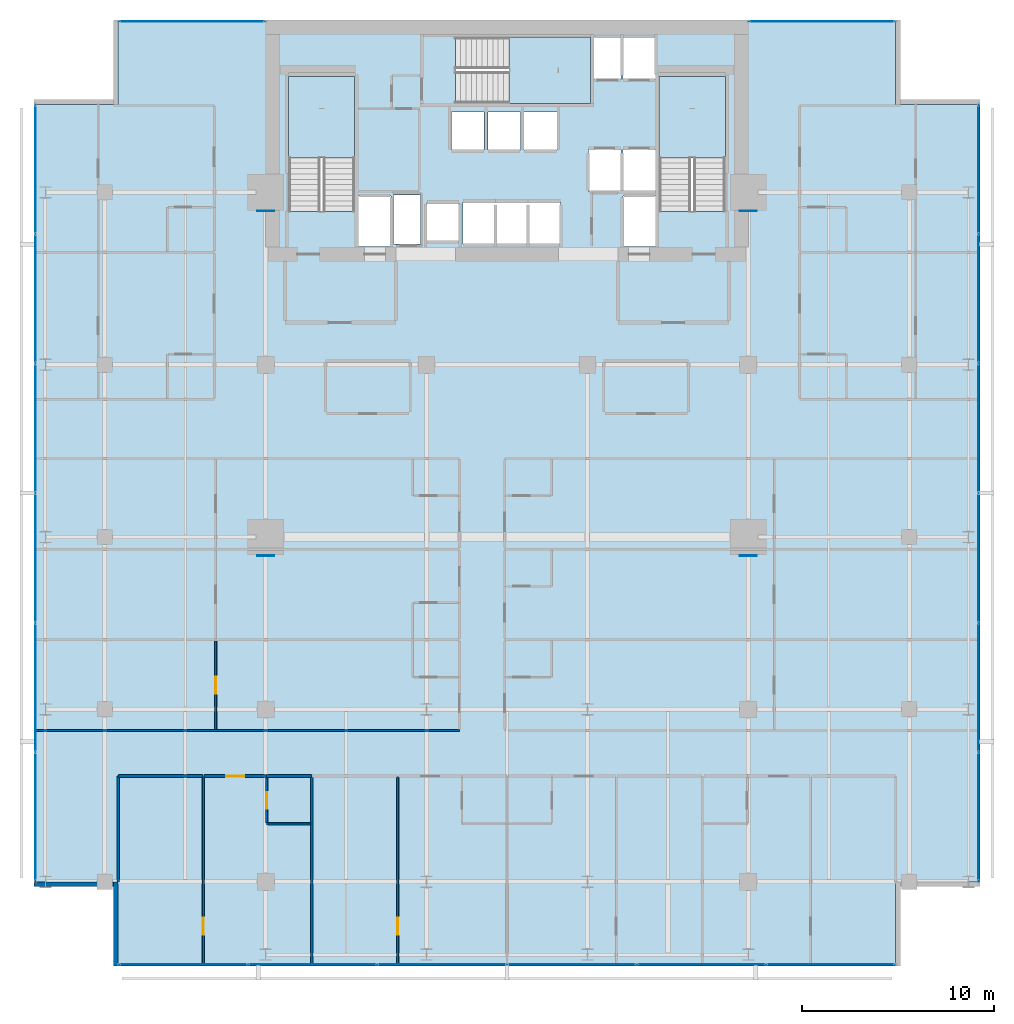
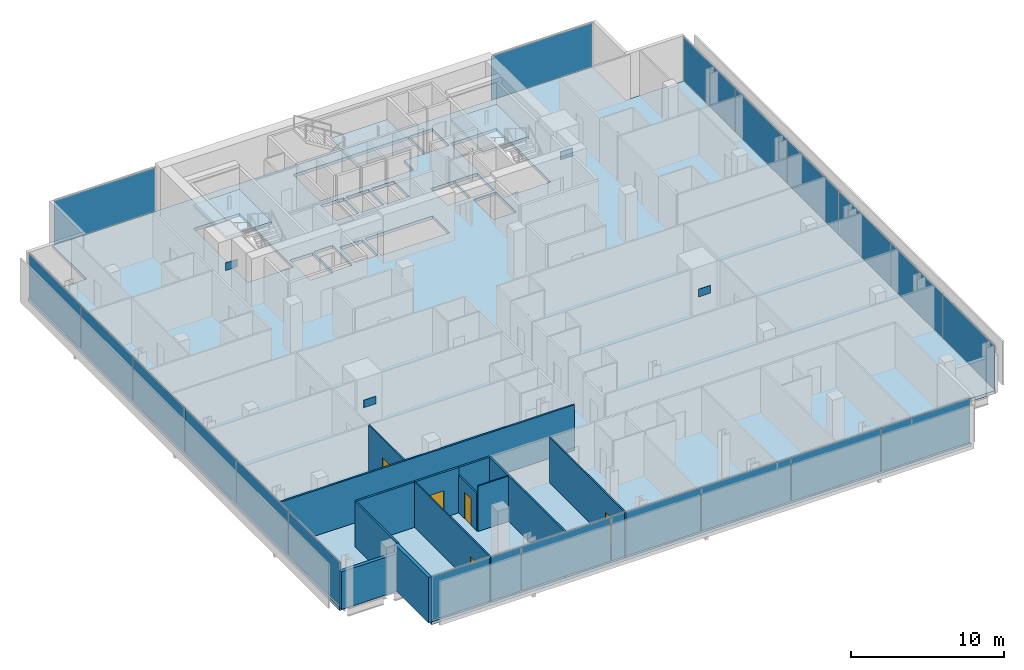
# One storey, part 26 of 33: 24 plates, 13 walls, 5 doors, 4 slabs, 5 openings, 8 elements without a shape of their own.
"""IFC4 building model written with IfcOpenShell, lengths in metres."""

import ifcopenshell
import ifcopenshell.guid

model = None  # the IFC model being written
_history = None  # IfcOwnerHistory: only IFC2X3 demands one
_inside = {}  # id of a spatial element -> (the spatial element, [elements in it])
_under = {}  # id of a project, library or spatial element -> (it, [spatial elements below it])
_declared = {}  # id of a project -> (the project, [libraries it declares])
_typed = {}  # id of a type object -> (the type object, [elements of that type])
_made_of = {}  # id of a material, layer set ... -> (it, [elements and type objects made of it])


def new_model(schema):
    """Start an empty IFC model of exactly this schema.

    Asked for "IFC4X3", IfcOpenShell would pick the latest addendum, in which some entities
    have other attributes; the version numbers below select the first issue.
    IFC2X3 requires an IfcOwnerHistory on every rooted entity: one is made here for all.
    """
    global model, _history
    if schema == "IFC4X3":
        model = ifcopenshell.file(schema_version=(4, 3, 0, 0))
    else:
        model = ifcopenshell.file(schema=schema)
    _inside.clear()
    _under.clear()
    _declared.clear()
    _typed.clear()
    _made_of.clear()
    _history = None
    if model.schema == "IFC2X3":
        org = make("IfcOrganization", Name="unknown")
        user = make(
            "IfcPersonAndOrganization",
            ThePerson=make("IfcPerson", FamilyName="unknown"),
            TheOrganization=org,
        )
        app = make(
            "IfcApplication",
            ApplicationDeveloper=org,
            Version="unknown",
            ApplicationFullName="unknown",
            ApplicationIdentifier="unknown",
        )
        _history = make(
            "IfcOwnerHistory",
            OwningUser=user,
            OwningApplication=app,
            ChangeAction="ADDED",
            CreationDate=0,
        )
    return model


def make(cls, **values):
    """One entity of the class cls with the attributes given. An attribute that is None is left unset."""
    return model.create_entity(
        cls, **{name: value for name, value in values.items() if value is not None}
    )


def rooted(cls, **values):
    """An entity with a GlobalId (a new one), such as an element, a storey or a relation."""
    return make(cls, GlobalId=ifcopenshell.guid.new(), OwnerHistory=_history, **values)


def si_unit(unit_type, name, prefix=None):
    """IfcSIUnit, for example si_unit("LENGTHUNIT", "METRE", prefix="MILLI")."""
    return make("IfcSIUnit", UnitType=unit_type, Prefix=prefix, Name=name)


def assignment(units):
    """IfcUnitAssignment: the units of a project."""
    return None if units is None else make("IfcUnitAssignment", Units=units)


def point(xyz):
    """IfcCartesianPoint."""
    return None if xyz is None else make("IfcCartesianPoint", Coordinates=xyz)


def direction(xyz):
    """IfcDirection."""
    return None if xyz is None else make("IfcDirection", DirectionRatios=xyz)


def frame(location, z_axis=None, x_axis=None):
    """IfcAxis2Placement3D, a coordinate frame: its origin and axes. An axis left out is left unset."""
    return make(
        "IfcAxis2Placement3D",
        Location=point(location),
        Axis=direction(z_axis),
        RefDirection=direction(x_axis),
    )


def frame_2d(location, x_axis=None):
    """IfcAxis2Placement2D, a coordinate frame in the plane: its origin and x axis."""
    return make(
        "IfcAxis2Placement2D", Location=point(location), RefDirection=direction(x_axis)
    )


def origin():
    """The frame at (0, 0, 0) with its axes left unset."""
    return frame((0.0, 0.0, 0.0))


def origin_2d():
    """The frame at (0, 0) in the plane with its x axis left unset."""
    return frame_2d((0.0, 0.0))


def place(relative_to, where):
    """IfcLocalPlacement: puts the frame where relative to a parent placement (None: the world)."""
    return make(
        "IfcLocalPlacement", PlacementRelTo=relative_to, RelativePlacement=where
    )


def context(
    kind, dimensions, precision=None, world=None, true_north=None, identifier=None
):
    """IfcGeometricRepresentationContext, for example the 3D "Model" context."""
    return make(
        "IfcGeometricRepresentationContext",
        ContextIdentifier=identifier,
        ContextType=kind,
        CoordinateSpaceDimension=dimensions,
        Precision=precision,
        WorldCoordinateSystem=world,
        TrueNorth=true_north,
    )


def subcontext(parent, identifier, kind, view, scale=None):
    """IfcGeometricRepresentationSubContext, for example "Body" below "Model"."""
    return make(
        "IfcGeometricRepresentationSubContext",
        ContextIdentifier=identifier,
        ContextType=kind,
        ParentContext=parent,
        TargetScale=scale,
        TargetView=view,
    )


def project(units=None, contexts=None):
    """IfcProject with its units and contexts."""
    return rooted(
        "IfcProject",
        Name="project",
        RepresentationContexts=contexts,
        UnitsInContext=assignment(units),
    )


def spatial(cls, under=None, at=None, **own):
    """A site, building, storey or space (cls), placed at a placement, below another one or the project."""
    s = rooted(cls, ObjectPlacement=at, **own)
    if under is not None:
        _under.setdefault(under.id(), (under, []))[1].append(s)
    return s


def polyline(points):
    """IfcPolyline through the points."""
    return make("IfcPolyline", Points=[point(p) for p in points])


def profile(cls, at=None, kind="AREA", **sizes):
    """A parametric profile (cls). Its sizes go by their IFC names, for example OverallWidth=200.0."""
    return make(cls, ProfileType=kind, Position=at, **sizes)


def rectangle(**sizes):
    """IfcRectangleProfileDef."""
    return profile("IfcRectangleProfileDef", **sizes)


def outline(outer, holes=None, kind="AREA"):
    """IfcArbitraryClosedProfileDef: a profile drawn as a closed curve; with holes, ...WithVoids."""
    if holes is None:
        return make("IfcArbitraryClosedProfileDef", ProfileType=kind, OuterCurve=outer)
    return make(
        "IfcArbitraryProfileDefWithVoids",
        ProfileType=kind,
        OuterCurve=outer,
        InnerCurves=holes,
    )


def extrude(swept, where, along, depth):
    """IfcExtrudedAreaSolid: the profile swept, set in the frame where, extruded along a direction by depth."""
    return make(
        "IfcExtrudedAreaSolid",
        SweptArea=swept,
        Position=where,
        ExtrudedDirection=direction(along),
        Depth=depth,
    )


def shape(context_of_items, identifier, shape_type, items):
    """IfcShapeRepresentation: the items that make up one representation, for example the "Body"."""
    return make(
        "IfcShapeRepresentation",
        ContextOfItems=context_of_items,
        RepresentationIdentifier=identifier,
        RepresentationType=shape_type,
        Items=items,
    )


def material(Name=None, Category=None):
    """IfcMaterial."""
    return make("IfcMaterial", Name=Name, Category=Category)


def layer(
    of_material, thickness, ventilated=None, Name=None, Category=None, Priority=None
):
    """IfcMaterialLayer: one layer of a wall or slab, of a material (None: an air gap)."""
    return make(
        "IfcMaterialLayer",
        Material=of_material,
        LayerThickness=thickness,
        IsVentilated=ventilated,
        Name=Name,
        Category=Category,
        Priority=Priority,
    )


def layer_set(layers, Name=None):
    """IfcMaterialLayerSet."""
    return make("IfcMaterialLayerSet", MaterialLayers=layers, LayerSetName=Name)


def made_of(thing, what):
    """Note that an element or type object is made of a material, layer set ...; save() writes the relation."""
    if what is not None:
        _made_of.setdefault(what.id(), (what, []))[1].append(thing)
    return thing


def type_object(cls, material=None, **own):
    """A type object (cls), such as IfcWallType, which elements share."""
    return made_of(rooted(cls, **own), material)


def element(
    cls,
    number,
    at=None,
    inside=None,
    cuts=None,
    type_object=None,
    material=None,
    context=None,
    identifier="Body",
    shape_type=None,
    held_by="IfcProductDefinitionShape",
    body=None,
    shapes=None,
    **own,
):
    """One element of the class cls, such as IfcWall. Its Tag is "e" and its number.

    at: its placement. inside: the storey or other place that contains it. cuts: it is an
    opening in that element (IfcRelVoidsElement). A single representation is given by context,
    identifier, shape_type and body (its items); several are given by shapes. held_by: the class
    of the entity that holds the representations. save() writes the other relations.
    """
    e = rooted(cls, Tag="e%d" % number, ObjectPlacement=at, **own)
    if body is not None:
        shapes = [shape(context, identifier, shape_type, body)]
    if shapes is not None:
        e.Representation = make(held_by, Representations=shapes)
    if inside is not None:
        _inside.setdefault(inside.id(), (inside, []))[1].append(e)
    if cuts is not None:
        rooted(
            "IfcRelVoidsElement", RelatingBuildingElement=cuts, RelatedOpeningElement=e
        )
    if type_object is not None:
        _typed.setdefault(type_object.id(), (type_object, []))[1].append(e)
    return made_of(e, material)


def fill(opening, filler):
    """IfcRelFillsElement: the door or window that sits in an opening."""
    return rooted(
        "IfcRelFillsElement",
        RelatingOpeningElement=opening,
        RelatedBuildingElement=filler,
    )


def aggregate(whole, parts):
    """IfcRelAggregates: a whole, such as a stair, and the parts it consists of."""
    return rooted("IfcRelAggregates", RelatingObject=whole, RelatedObjects=parts)


def save(model, path):
    """Write the relations noted so far, then the file.

    IfcRelAggregates (storeys below a building ...), IfcRelContainedInSpatialStructure (elements
    in a storey), IfcRelDefinesByType, IfcRelAssociatesMaterial and IfcRelDeclares: one each for
    every whole, place, type object, material and project.
    """
    for whole, parts in _under.values():
        aggregate(whole, parts)
    for where, things in _inside.values():
        rooted(
            "IfcRelContainedInSpatialStructure",
            RelatedElements=things,
            RelatingStructure=where,
        )
    for kind, things in _typed.values():
        rooted("IfcRelDefinesByType", RelatedObjects=things, RelatingType=kind)
    for what, things in _made_of.values():
        rooted("IfcRelAssociatesMaterial", RelatedObjects=things, RelatingMaterial=what)
    for by, libraries in _declared.values():
        rooted("IfcRelDeclares", RelatingContext=by, RelatedDefinitions=libraries)
    model.write(path)


model = new_model("IFC4")

# Units and contexts
model_context = context("Model", 3, precision=1e-05, world=origin(), true_north=direction((0.0, 1.0)))
body_context = subcontext(model_context, "Body", "Model", "MODEL_VIEW")
ifc_project = project(units=[si_unit("LENGTHUNIT", "METRE"), si_unit("AREAUNIT", "SQUARE_METRE"), si_unit("VOLUMEUNIT", "CUBIC_METRE"), si_unit("PLANEANGLEUNIT", "RADIAN"), si_unit("MASSUNIT", "GRAM", prefix="KILO")], contexts=[model_context])

# Site, building, storey
site_placement = place(None, origin())
site = spatial("IfcSite", under=ifc_project, at=site_placement, CompositionType="ELEMENT")
building_placement = place(site_placement, origin())
building = spatial("IfcBuilding", under=site, at=building_placement, Name="Maruvema Waterfront Hotel and Observation Tower", CompositionType="ELEMENT")
storey_placement = place(building_placement, frame((0.0, 0.0, 142.800048828125)))
storey = spatial("IfcBuildingStorey", under=building, at=storey_placement, Name="L34", CompositionType="ELEMENT", Elevation=142.800048828125)

# Slab
ifc_material_1 = material(Name="Concrete C50/60", Category="concrete")
ifc_layer_1 = layer(ifc_material_1, 0.239990234375, Name="Reinforced Concrete Floor Slab 240 mm")
ifc_layer_set_1 = layer_set([ifc_layer_1], Name="Concrete C50/60")
slab_type_1 = type_object("IfcSlabType", Name="Reinforced Concrete Floor Slab 240 mm", PredefinedType="FLOOR", material=ifc_layer_set_1)
slab_1_placement = place(storey_placement, frame((0.0, 0.0, -0.239990234375)))
element("IfcSlab", 1, at=slab_1_placement, inside=storey, type_object=slab_type_1, Name="L34 Structural Floor Slab", PredefinedType="FLOOR", context=body_context, shape_type="SweptSolid", body=[
    extrude(outline(polyline([(17.5, 4.60009765625), (58.10009765625, 4.60009765625), (58.10009765625, 9.0), (62.5, 9.0), (62.5, 49.60009765625), (58.10009765625, 49.60009765625), (58.10009765625, 54.0), (17.5, 54.0), (17.5, 49.60009765625), (13.10009765625, 49.60009765625), (13.10009765625, 9.0), (17.5, 9.0), (17.5, 4.60009765625)]), holes=[polyline([(26.39990234375, 44.00048828125), (26.39990234375, 51.050048828125), (29.85009765625, 51.050048828125), (29.85009765625, 44.00048828125), (26.39990234375, 44.00048828125)]), polyline([(30.050048828125, 44.800048828125), (31.75, 44.800048828125), (31.75, 42.169921875), (30.050048828125, 42.169921875), (30.050048828125, 44.800048828125)]), polyline([(31.8798828125, 44.860107421875), (33.280029296875, 44.860107421875), (33.280029296875, 42.2900390625), (31.8798828125, 42.2900390625), (31.8798828125, 44.860107421875)]), polyline([(33.60009765625, 44.449951171875), (35.300048828125, 44.449951171875), (35.300048828125, 42.449951171875), (33.60009765625, 42.449951171875), (33.60009765625, 44.449951171875)]), polyline([(34.89990234375, 49.199951171875), (36.60009765625, 49.199951171875), (36.60009765625, 47.199951171875), (34.89990234375, 47.199951171875), (34.89990234375, 49.199951171875)]), polyline([(36.800048828125, 49.199951171875), (38.5, 49.199951171875), (38.5, 47.199951171875), (36.800048828125, 47.199951171875), (36.800048828125, 49.199951171875)]), polyline([(35.5, 42.300048828125), (35.5, 44.5), (40.60009765625, 44.5), (40.60009765625, 42.300048828125), (35.5, 42.300048828125)]), polyline([(35.1005859375, 53.10009765625), (43.75, 53.10009765625), (43.75, 50.89990234375), (42.14990234375, 50.89990234375), (42.14990234375, 49.64990234375), (35.1005859375, 49.64990234375), (35.1005859375, 53.10009765625)]), polyline([(38.699951171875, 49.199951171875), (40.39990234375, 49.199951171875), (40.39990234375, 47.199951171875), (38.699951171875, 47.199951171875), (38.699951171875, 49.199951171875)]), polyline([(42.050048828125, 47.25), (43.75, 47.25), (43.75, 45.050048828125), (42.050048828125, 45.050048828125), (42.050048828125, 47.25)]), polyline([(43.85009765625, 44.800048828125), (45.550048828125, 44.800048828125), (45.550048828125, 42.169921875), (43.85009765625, 42.169921875), (43.85009765625, 44.800048828125)]), polyline([(43.85009765625, 47.25), (45.550048828125, 47.25), (45.550048828125, 45.050048828125), (43.85009765625, 45.050048828125), (43.85009765625, 47.25)]), polyline([(45.550048828125, 53.10009765625), (45.550048828125, 50.89990234375), (43.85009765625, 50.89990234375), (43.85009765625, 53.10009765625), (45.550048828125, 53.10009765625)]), polyline([(45.75, 44.00048828125), (45.75, 51.050048828125), (49.199951171875, 51.050048828125), (49.199951171875, 44.00048828125), (45.75, 44.00048828125)])]), origin(), (0.0, 0.0, 1.0), 0.239990234375),
])

# Curtain wall, plates
ifc_material_2 = material(Name="Anodised bronze aluminium and solar-control low-E IGU", Category="aluminium")
ifc_layer_2 = layer(ifc_material_2, 0.159912109375, Name="Zone 2 Amber Inner Thermal Curtain Wall System CW-03")
ifc_layer_set_2 = layer_set([ifc_layer_2], Name="Anodised bronze aluminium and solar-control low-E IGU")
curtain_wall_type = type_object("IfcCurtainWallType", Name="Zone 2 Amber Inner Thermal Curtain Wall System CW-03", PredefinedType="USERDEFINED", material=ifc_layer_set_2)
curtain_wall_1_placement = place(storey_placement, origin())
curtain_wall_1 = element("IfcCurtainWall", 2, at=curtain_wall_1_placement, inside=storey, type_object=curtain_wall_type, Name="L34 Curtain Wall CW-L34-S", ObjectType="UNITISED CURTAIN WALL", PredefinedType="USERDEFINED")
ifc_material_3 = material(Name="Laminated low-E solar-control double glazing", Category="glass")
ifc_layer_3 = layer(ifc_material_3, 0.035888671875, Name="Solar Control Double-Glazed Curtain Panel 36 mm")
ifc_layer_set_3 = layer_set([ifc_layer_3], Name="Laminated low-E solar-control double glazing")
plate_type_1 = type_object("IfcPlateType", Name="Solar Control Double-Glazed Curtain Panel 36 mm", PredefinedType="CURTAIN_PANEL", material=ifc_layer_set_3)
plate_1_placement = place(storey_placement, frame((20.8984375, 4.679931640625, 0.06005859375), z_axis=(0.0, 0.0, 1.0), x_axis=(1.0, 0.0, 0.0)))
plate_1 = element("IfcPlate", 3, at=plate_1_placement, type_object=plate_type_1, Name="CW-03 panel 1.1", PredefinedType="CURTAIN_PANEL", context=body_context, shape_type="SweptSolid", body=[
    extrude(rectangle(XDim=6.6767578125, YDim=0.028076171875, at=origin_2d()), origin(), (0.0, 0.0, 1.0), 3.489990234375),
])
plate_2_placement = place(storey_placement, frame((27.64990234375, 4.679931640625, 0.06005859375), z_axis=(0.0, 0.0, 1.0), x_axis=(1.0, 0.0, 0.0)))
plate_2 = element("IfcPlate", 4, at=plate_2_placement, type_object=plate_type_1, Name="CW-03 panel 2.1", PredefinedType="CURTAIN_PANEL", context=body_context, shape_type="SweptSolid", body=[
    extrude(rectangle(XDim=6.706787109375, YDim=0.028076171875, at=origin_2d()), origin(), (0.0, 0.0, 1.0), 3.489990234375),
])
plate_3_placement = place(storey_placement, frame((34.416748046875, 4.679931640625, 0.06005859375), z_axis=(0.0, 0.0, 1.0), x_axis=(1.0, 0.0, 0.0)))
plate_3 = element("IfcPlate", 5, at=plate_3_placement, type_object=plate_type_1, Name="CW-03 panel 3.1", PredefinedType="CURTAIN_PANEL", context=body_context, shape_type="SweptSolid", body=[
    extrude(rectangle(XDim=6.706787109375, YDim=0.028076171875, at=origin_2d()), origin(), (0.0, 0.0, 1.0), 3.489990234375),
])
plate_4_placement = place(storey_placement, frame((41.183349609375, 4.679931640625, 0.06005859375), z_axis=(0.0, 0.0, 1.0), x_axis=(1.0, 0.0, 0.0)))
plate_4 = element("IfcPlate", 6, at=plate_4_placement, type_object=plate_type_1, Name="CW-03 panel 4.1", PredefinedType="CURTAIN_PANEL", context=body_context, shape_type="SweptSolid", body=[
    extrude(rectangle(XDim=6.706787109375, YDim=0.028076171875, at=origin_2d()), origin(), (0.0, 0.0, 1.0), 3.489990234375),
])
plate_5_placement = place(storey_placement, frame((47.949951171875, 4.679931640625, 0.06005859375), z_axis=(0.0, 0.0, 1.0), x_axis=(1.0, 0.0, 0.0)))
plate_5 = element("IfcPlate", 7, at=plate_5_placement, type_object=plate_type_1, Name="CW-03 panel 5.1", PredefinedType="CURTAIN_PANEL", context=body_context, shape_type="SweptSolid", body=[
    extrude(rectangle(XDim=6.706787109375, YDim=0.028076171875, at=origin_2d()), origin(), (0.0, 0.0, 1.0), 3.489990234375),
])
plate_6_placement = place(storey_placement, frame((54.70166015625, 4.679931640625, 0.06005859375), z_axis=(0.0, 0.0, 1.0), x_axis=(1.0, 0.0, 0.0)))
plate_6 = element("IfcPlate", 8, at=plate_6_placement, type_object=plate_type_1, Name="CW-03 panel 6.1", PredefinedType="CURTAIN_PANEL", context=body_context, shape_type="SweptSolid", body=[
    extrude(rectangle(XDim=6.6767578125, YDim=0.028076171875, at=origin_2d()), origin(), (0.0, 0.0, 1.0), 3.489990234375),
])
aggregate(curtain_wall_1, [plate_1, plate_2, plate_3, plate_4, plate_5, plate_6])

curtain_wall_2_placement = place(storey_placement, origin())
curtain_wall_2 = element("IfcCurtainWall", 9, at=curtain_wall_2_placement, inside=storey, type_object=curtain_wall_type, Name="L34 Curtain Wall CW-L34-E", ObjectType="UNITISED CURTAIN WALL", PredefinedType="USERDEFINED")
plate_7_placement = place(storey_placement, frame((62.419921875, 12.3984375, 0.06005859375), z_axis=(0.0, 0.0, 1.0), x_axis=(0.0, 1.0, 0.0)))
plate_7 = element("IfcPlate", 10, at=plate_7_placement, type_object=plate_type_1, Name="CW-03 panel 1.1", PredefinedType="CURTAIN_PANEL", context=body_context, shape_type="SweptSolid", body=[
    extrude(rectangle(XDim=6.6767578125, YDim=0.028076171875, at=origin_2d()), origin(), (0.0, 0.0, 1.0), 3.489990234375),
])
plate_8_placement = place(storey_placement, frame((62.419921875, 19.14990234375, 0.06005859375), z_axis=(0.0, 0.0, 1.0), x_axis=(0.0, 1.0, 0.0)))
plate_8 = element("IfcPlate", 11, at=plate_8_placement, type_object=plate_type_1, Name="CW-03 panel 2.1", PredefinedType="CURTAIN_PANEL", context=body_context, shape_type="SweptSolid", body=[
    extrude(rectangle(XDim=6.706787109375, YDim=0.028076171875, at=origin_2d()), origin(), (0.0, 0.0, 1.0), 3.489990234375),
])
plate_9_placement = place(storey_placement, frame((62.419921875, 25.916748046875, 0.06005859375), z_axis=(0.0, 0.0, 1.0), x_axis=(0.0, 1.0, 0.0)))
plate_9 = element("IfcPlate", 12, at=plate_9_placement, type_object=plate_type_1, Name="CW-03 panel 3.1", PredefinedType="CURTAIN_PANEL", context=body_context, shape_type="SweptSolid", body=[
    extrude(rectangle(XDim=6.706787109375, YDim=0.028076171875, at=origin_2d()), origin(), (0.0, 0.0, 1.0), 3.489990234375),
])
plate_10_placement = place(storey_placement, frame((62.419921875, 32.683349609375, 0.06005859375), z_axis=(0.0, 0.0, 1.0), x_axis=(0.0, 1.0, 0.0)))
plate_10 = element("IfcPlate", 13, at=plate_10_placement, type_object=plate_type_1, Name="CW-03 panel 4.1", PredefinedType="CURTAIN_PANEL", context=body_context, shape_type="SweptSolid", body=[
    extrude(rectangle(XDim=6.706787109375, YDim=0.028076171875, at=origin_2d()), origin(), (0.0, 0.0, 1.0), 3.489990234375),
])
plate_11_placement = place(storey_placement, frame((62.419921875, 39.449951171875, 0.06005859375), z_axis=(0.0, 0.0, 1.0), x_axis=(0.0, 1.0, 0.0)))
plate_11 = element("IfcPlate", 14, at=plate_11_placement, type_object=plate_type_1, Name="CW-03 panel 5.1", PredefinedType="CURTAIN_PANEL", context=body_context, shape_type="SweptSolid", body=[
    extrude(rectangle(XDim=6.706787109375, YDim=0.028076171875, at=origin_2d()), origin(), (0.0, 0.0, 1.0), 3.489990234375),
])
plate_12_placement = place(storey_placement, frame((62.419921875, 46.20166015625, 0.06005859375), z_axis=(0.0, 0.0, 1.0), x_axis=(0.0, 1.0, 0.0)))
plate_12 = element("IfcPlate", 15, at=plate_12_placement, type_object=plate_type_1, Name="CW-03 panel 6.1", PredefinedType="CURTAIN_PANEL", context=body_context, shape_type="SweptSolid", body=[
    extrude(rectangle(XDim=6.6767578125, YDim=0.028076171875, at=origin_2d()), origin(), (0.0, 0.0, 1.0), 3.489990234375),
])
aggregate(curtain_wall_2, [plate_7, plate_8, plate_9, plate_10, plate_11, plate_12])

curtain_wall_3_placement = place(storey_placement, origin())
curtain_wall_3 = element("IfcCurtainWall", 16, at=curtain_wall_3_placement, inside=storey, type_object=curtain_wall_type, Name="L34 Curtain Wall CW-L34-W", ObjectType="UNITISED CURTAIN WALL", PredefinedType="USERDEFINED")
plate_13_placement = place(storey_placement, frame((13.179931640625, 46.20166015625, 0.06005859375), z_axis=(0.0, 0.0, 1.0), x_axis=(0.0, -1.0, 0.0)))
plate_13 = element("IfcPlate", 17, at=plate_13_placement, type_object=plate_type_1, Name="CW-03 panel 1.1", PredefinedType="CURTAIN_PANEL", context=body_context, shape_type="SweptSolid", body=[
    extrude(rectangle(XDim=6.6767578125, YDim=0.028076171875, at=origin_2d()), origin(), (0.0, 0.0, 1.0), 3.489990234375),
])
plate_14_placement = place(storey_placement, frame((13.179931640625, 39.449951171875, 0.06005859375), z_axis=(0.0, 0.0, 1.0), x_axis=(0.0, -1.0, 0.0)))
plate_14 = element("IfcPlate", 18, at=plate_14_placement, type_object=plate_type_1, Name="CW-03 panel 2.1", PredefinedType="CURTAIN_PANEL", context=body_context, shape_type="SweptSolid", body=[
    extrude(rectangle(XDim=6.706787109375, YDim=0.028076171875, at=origin_2d()), origin(), (0.0, 0.0, 1.0), 3.489990234375),
])
plate_15_placement = place(storey_placement, frame((13.179931640625, 32.683349609375, 0.06005859375), z_axis=(0.0, 0.0, 1.0), x_axis=(0.0, -1.0, 0.0)))
plate_15 = element("IfcPlate", 19, at=plate_15_placement, type_object=plate_type_1, Name="CW-03 panel 3.1", PredefinedType="CURTAIN_PANEL", context=body_context, shape_type="SweptSolid", body=[
    extrude(rectangle(XDim=6.706787109375, YDim=0.028076171875, at=origin_2d()), origin(), (0.0, 0.0, 1.0), 3.489990234375),
])
plate_16_placement = place(storey_placement, frame((13.179931640625, 25.916748046875, 0.06005859375), z_axis=(0.0, 0.0, 1.0), x_axis=(0.0, -1.0, 0.0)))
plate_16 = element("IfcPlate", 20, at=plate_16_placement, type_object=plate_type_1, Name="CW-03 panel 4.1", PredefinedType="CURTAIN_PANEL", context=body_context, shape_type="SweptSolid", body=[
    extrude(rectangle(XDim=6.706787109375, YDim=0.028076171875, at=origin_2d()), origin(), (0.0, 0.0, 1.0), 3.489990234375),
])
plate_17_placement = place(storey_placement, frame((13.179931640625, 19.14990234375, 0.06005859375), z_axis=(0.0, 0.0, 1.0), x_axis=(0.0, -1.0, 0.0)))
plate_17 = element("IfcPlate", 21, at=plate_17_placement, type_object=plate_type_1, Name="CW-03 panel 5.1", PredefinedType="CURTAIN_PANEL", context=body_context, shape_type="SweptSolid", body=[
    extrude(rectangle(XDim=6.706787109375, YDim=0.028076171875, at=origin_2d()), origin(), (0.0, 0.0, 1.0), 3.489990234375),
])
plate_18_placement = place(storey_placement, frame((13.179931640625, 12.3984375, 0.06005859375), z_axis=(0.0, 0.0, 1.0), x_axis=(0.0, -1.0, 0.0)))
plate_18 = element("IfcPlate", 22, at=plate_18_placement, type_object=plate_type_1, Name="CW-03 panel 6.1", PredefinedType="CURTAIN_PANEL", context=body_context, shape_type="SweptSolid", body=[
    extrude(rectangle(XDim=6.6767578125, YDim=0.028076171875, at=origin_2d()), origin(), (0.0, 0.0, 1.0), 3.489990234375),
])
aggregate(curtain_wall_3, [plate_13, plate_14, plate_15, plate_16, plate_17, plate_18])

# Curtain wall, plate
curtain_wall_4_placement = place(storey_placement, origin())
curtain_wall_4 = element("IfcCurtainWall", 23, at=curtain_wall_4_placement, inside=storey, type_object=curtain_wall_type, Name="L34 Curtain Wall CW-L34-NW", ObjectType="UNITISED CURTAIN WALL", PredefinedType="USERDEFINED")
plate_19_placement = place(storey_placement, frame((21.35009765625, 53.919921875, 0.06005859375), z_axis=(0.0, 0.0, 1.0), x_axis=(-1.0, 0.0, 0.0)))
plate_19 = element("IfcPlate", 24, at=plate_19_placement, type_object=plate_type_1, Name="CW-03 panel 1.1", PredefinedType="CURTAIN_PANEL", context=body_context, shape_type="SweptSolid", body=[
    extrude(rectangle(XDim=7.580078125, YDim=0.028076171875, at=origin_2d()), origin(), (0.0, 0.0, 1.0), 3.489990234375),
])
aggregate(curtain_wall_4, [plate_19])

curtain_wall_5_placement = place(storey_placement, origin())
curtain_wall_5 = element("IfcCurtainWall", 25, at=curtain_wall_5_placement, inside=storey, type_object=curtain_wall_type, Name="L34 Curtain Wall CW-L34-NE", ObjectType="UNITISED CURTAIN WALL", PredefinedType="USERDEFINED")
plate_20_placement = place(storey_placement, frame((54.25, 53.919921875, 0.06005859375), z_axis=(0.0, 0.0, 1.0), x_axis=(-1.0, 0.0, 0.0)))
plate_20 = element("IfcPlate", 26, at=plate_20_placement, type_object=plate_type_1, Name="CW-03 panel 1.1", PredefinedType="CURTAIN_PANEL", context=body_context, shape_type="SweptSolid", body=[
    extrude(rectangle(XDim=7.580078125, YDim=0.028076171875, at=origin_2d()), origin(), (0.0, 0.0, 1.0), 3.489990234375),
])
aggregate(curtain_wall_5, [plate_20])

# Stair, slab
ifc_material_4 = material(Name="Concrete C50/60", Category="concrete")
stair_type = type_object("IfcStairType", Name="Dogleg Exit Stair 1650 mm (22R x 175.0 mm)", PredefinedType="HALF_TURN_STAIR", material=ifc_material_4)
stair_1_placement = place(storey_placement, origin())
stair_1 = element("IfcStair", 27, at=stair_1_placement, inside=storey, type_object=stair_type, Name="L34 ST-01", PredefinedType="HALF_TURN_STAIR")
ifc_material_5 = material(Name="Concrete C50/60", Category="concrete")
ifc_layer_4 = layer(ifc_material_5, 0.219970703125, Name="Stair Concrete Landing Slab 220 mm")
ifc_layer_set_4 = layer_set([ifc_layer_4], Name="Concrete C50/60")
slab_type_2 = type_object("IfcSlabType", Name="Stair Concrete Landing Slab 220 mm", PredefinedType="LANDING", material=ifc_layer_set_4)
slab_2_placement = place(storey_placement, frame((0.0, 0.0, 1.704833984375)))
slab_2 = element("IfcSlab", 28, at=slab_2_placement, type_object=slab_type_2, Name="ST-01 landing 1", PredefinedType="LANDING", context=body_context, shape_type="SweptSolid", body=[
    extrude(outline(polyline([(29.85009765625, 46.800048828125), (29.85009765625, 51.050048828125), (26.39990234375, 51.050048828125), (26.39990234375, 46.800048828125), (29.85009765625, 46.800048828125)])), origin(), (0.0, 0.0, 1.0), 0.22021484375),
])
aggregate(stair_1, [slab_2])

stair_2_placement = place(storey_placement, origin())
stair_2 = element("IfcStair", 29, at=stair_2_placement, inside=storey, type_object=stair_type, Name="L34 ST-02", PredefinedType="HALF_TURN_STAIR")
slab_3_placement = place(storey_placement, frame((0.0, 0.0, 1.704833984375)))
slab_3 = element("IfcSlab", 30, at=slab_3_placement, type_object=slab_type_2, Name="ST-02 landing 1", PredefinedType="LANDING", context=body_context, shape_type="SweptSolid", body=[
    extrude(outline(polyline([(37.89990234375, 49.64990234375), (42.14990234375, 49.64990234375), (42.14990234375, 53.10009765625), (37.89990234375, 53.10009765625), (37.89990234375, 49.64990234375)])), origin(), (0.0, 0.0, 1.0), 0.22021484375),
])
aggregate(stair_2, [slab_3])

stair_3_placement = place(storey_placement, origin())
stair_3 = element("IfcStair", 31, at=stair_3_placement, inside=storey, type_object=stair_type, Name="L34 ST-03", PredefinedType="HALF_TURN_STAIR")
slab_4_placement = place(storey_placement, frame((0.0, 0.0, 1.704833984375)))
slab_4 = element("IfcSlab", 32, at=slab_4_placement, type_object=slab_type_2, Name="ST-03 landing 1", PredefinedType="LANDING", context=body_context, shape_type="SweptSolid", body=[
    extrude(outline(polyline([(49.199951171875, 46.800048828125), (49.199951171875, 51.050048828125), (45.75, 51.050048828125), (45.75, 46.800048828125), (49.199951171875, 46.800048828125)])), origin(), (0.0, 0.0, 1.0), 0.22021484375),
])
aggregate(stair_3, [slab_4])

# Plates
ifc_material_6 = material(Name="Steel ABNT NBR 7007 AR 415 (ASTM A572 Grade 50)", Category="steel")
ifc_layer_5 = layer(ifc_material_6, 0.0400390625, Name="Structural Truss Node Gusset Plate 40 mm")
ifc_layer_set_5 = layer_set([ifc_layer_5], Name="Steel ABNT NBR 7007 AR 415 (ASTM A572 Grade 50)")
plate_type_2 = type_object("IfcPlateType", Name="Structural Truss Node Gusset Plate 40 mm", PredefinedType="USERDEFINED", material=ifc_layer_set_5)
for number, where, z_axis, x_axis, name in (
    (33, (25.199951171875, 26.030029296875, 1.5), (0.0, 0.0, 1.0), (1.0, 0.0, 0.0), "L34 MC-01 Moment Frame Continuity Gusset Plate"),
    (34, (50.39990234375, 26.030029296875, 1.5), (0.0, 0.0, 1.0), (1.0, 0.0, 0.0), "L34 MC-02 Moment Frame Continuity Gusset Plate"),
    (35, (25.199951171875, 44.030029296875, 1.5), (0.0, 0.0, 1.0), (1.0, 0.0, 0.0), "L34 MC-03 Moment Frame Continuity Gusset Plate"),
    (36, (50.39990234375, 44.030029296875, 1.5), (0.0, 0.0, 1.0), (1.0, 0.0, 0.0), "L34 MC-04 Moment Frame Continuity Gusset Plate"),
):
    element("IfcPlate", number, at=place(storey_placement, frame(where, z_axis=z_axis, x_axis=x_axis)), inside=storey, type_object=plate_type_2, Name=name, ObjectType="GUSSET_PLATE", PredefinedType="USERDEFINED", context=body_context, shape_type="SweptSolid", body=[
        extrude(rectangle(XDim=0.89990234375, YDim=0.0400390625, at=origin_2d()), origin(), (0.0, 0.0, 1.0), 0.60009765625),
    ])

# Walls
ifc_material_7 = material(Name="Twin-stud acoustic gypsum drywall", Category="gypsum")
ifc_layer_6 = layer(ifc_material_7, 0.14990234375, Name="Acoustic Corridor and Suite Demising Wall 150 mm")
ifc_layer_set_6 = layer_set([ifc_layer_6], Name="Twin-stud acoustic gypsum drywall")
wall_type_1 = type_object("IfcWallType", Name="Acoustic Corridor and Suite Demising Wall 150 mm", PredefinedType="PARTITIONING", material=ifc_layer_set_6)
wall_1_placement = place(storey_placement, frame((25.25, 14.52001953125, 0.0), z_axis=(0.0, 0.0, 1.0), x_axis=(1.0, 0.0, 0.0)))
element("IfcWall", 37, at=wall_1_placement, inside=storey, type_object=wall_type_1, Name="L34 Bath L34-S1 Back Wall 027", PredefinedType="PARTITIONING", context=body_context, shape_type="SweptSolid", body=[
    extrude(rectangle(XDim=2.330078125, YDim=0.14990234375, at=frame_2d((1.1650390625, 0.0))), origin(), (0.0, 0.0, 1.0), 3.60986328125),
])
wall_2_placement = place(storey_placement, frame((17.52001953125, 14.52001953125, 0.0), z_axis=(0.0, 0.0, 1.0), x_axis=(1.0, 0.0, 0.0)))
element("IfcWall", 38, at=wall_2_placement, inside=storey, type_object=wall_type_1, Name="L34 Bedroom L34-S1 Back Wall 030", PredefinedType="PARTITIONING", context=body_context, shape_type="SweptSolid", body=[
    extrude(rectangle(XDim=4.384033203125, YDim=0.14990234375, at=frame_2d((2.19189453125, 0.0))), origin(), (0.0, 0.0, 1.0), 3.60986328125),
])

# Wall, opening, door
wall_3_placement = place(storey_placement, frame((21.98388671875, 14.52001953125, 0.0), z_axis=(0.0, 0.0, 1.0), x_axis=(1.0, 0.0, 0.0)))
wall_3 = element("IfcWall", 39, at=wall_3_placement, inside=storey, type_object=wall_type_1, Name="L34 Unit L34-S1 Corridor Wall 031", PredefinedType="PARTITIONING", context=body_context, shape_type="SweptSolid", body=[
    extrude(rectangle(XDim=3.26611328125, YDim=0.14990234375, at=frame_2d((1.633056640625, 0.0))), origin(), (0.0, 0.0, 1.0), 3.60986328125),
])
opening_1_placement = place(wall_3_placement, frame((1.157958984375, 0.0, 0.0)))
opening_1 = element("IfcOpeningElement", 40, at=opening_1_placement, cuts=wall_3, Name="Opening DR-095", PredefinedType="OPENING", context=body_context, shape_type="SweptSolid", body=[
    extrude(rectangle(XDim=0.949951171875, YDim=2.14990234375, at=frame_2d((0.47509765625, 1.074951171875))), frame((0.0, 0.0849609375, 0.0), z_axis=(0.0, -1.0, 0.0), x_axis=(1.0, 0.0, 0.0)), (0.0, 0.0, 1.0), 0.169921875),
])
ifc_material_8 = material(Name="Acoustic solid-core hardwood timber leaf", Category="wood")
door_type_1 = type_object("IfcDoorType", Name="Guestroom Entrance Fire Door 950x2150 mm", OperationType="NOTDEFINED", PredefinedType="DOOR", material=ifc_material_8)
door_1_placement = place(opening_1_placement, frame((0.949951171875, 0.0, 0.0), z_axis=(0.0, 0.0, 1.0), x_axis=(-1.0, 0.0, 0.0)))
door_1 = element("IfcDoor", 41, at=door_1_placement, inside=storey, type_object=door_type_1, Name="L34 Unit L34-S1 Entrance Door", OperationType="SINGLE_SWING_LEFT", OverallHeight=2.14990234375, OverallWidth=0.949951171875, PredefinedType="DOOR", context=body_context, shape_type="SweptSolid", body=[
    extrude(rectangle(XDim=0.949951171875, YDim=2.14990234375, at=frame_2d((0.47509765625, 1.074951171875))), frame((0.0, 0.02490234375, 0.0), z_axis=(0.0, -1.0, 0.0), x_axis=(1.0, 0.0, 0.0)), (0.0, 0.0, 1.0), 0.050048828125),
])
fill(opening_1, door_1)

# Wall
ifc_material_9 = material(Name="Moisture-resistant cement-board drywall", Category="gypsum")
ifc_layer_7 = layer(ifc_material_9, 0.10009765625, Name="En-Suite Moisture-Resistant Partition 100 mm")
ifc_layer_set_7 = layer_set([ifc_layer_7], Name="Moisture-resistant cement-board drywall")
wall_type_2 = type_object("IfcWallType", Name="En-Suite Moisture-Resistant Partition 100 mm", PredefinedType="PARTITIONING", material=ifc_layer_set_7)
wall_4_placement = place(storey_placement, frame((25.25, 12.02001953125, 0.0), z_axis=(0.0, 0.0, 1.0), x_axis=(1.0, 0.0, 0.0)))
element("IfcWall", 42, at=wall_4_placement, inside=storey, type_object=wall_type_2, Name="L34 En-Suite L34-S1 South 028", PredefinedType="PARTITIONING", context=body_context, shape_type="SweptSolid", body=[
    extrude(rectangle(XDim=2.31005859375, YDim=0.10009765625, at=frame_2d((1.155029296875, 0.0))), origin(), (0.0, 0.0, 1.0), 3.60986328125),
])

# Wall, opening, door
wall_5_placement = place(storey_placement, frame((25.25, 12.080078125, 0.0), z_axis=(0.0, 0.0, 1.0), x_axis=(0.0, 1.0, 0.0)))
wall_5 = element("IfcWall", 43, at=wall_5_placement, inside=storey, type_object=wall_type_2, Name="L34 En-Suite L34-S1 West 029", PredefinedType="PARTITIONING", context=body_context, shape_type="SweptSolid", body=[
    extrude(rectangle(XDim=2.33984375, YDim=0.10009765625, at=frame_2d((1.169921875, 0.0))), origin(), (0.0, 0.0, 1.0), 2.998046875),
])
opening_2_placement = place(wall_5_placement, frame((0.7451171875, 0.0, 0.0)))
opening_2 = element("IfcOpeningElement", 44, at=opening_2_placement, cuts=wall_5, Name="Opening DR-085", PredefinedType="OPENING", context=body_context, shape_type="SweptSolid", body=[
    extrude(rectangle(XDim=0.85009765625, YDim=2.10009765625, at=frame_2d((0.425048828125, 1.050048828125))), frame((0.0, 0.06005859375, 0.0), z_axis=(0.0, -1.0, 0.0), x_axis=(1.0, 0.0, 0.0)), (0.0, 0.0, 1.0), 0.1201171875),
])
ifc_material_10 = material(Name="Moisture-resistant solid timber leaf", Category="wood")
door_type_2 = type_object("IfcDoorType", Name="En-Suite Bathroom Door 850x2100 mm", OperationType="NOTDEFINED", PredefinedType="DOOR", material=ifc_material_10)
door_2_placement = place(opening_2_placement, origin())
door_2 = element("IfcDoor", 45, at=door_2_placement, inside=storey, type_object=door_type_2, Name="L34 En-Suite L34-S1 Door", OperationType="SINGLE_SWING_RIGHT", OverallHeight=2.10009765625, OverallWidth=0.85009765625, PredefinedType="DOOR", context=body_context, shape_type="SweptSolid", body=[
    extrude(rectangle(XDim=0.85009765625, YDim=2.10009765625, at=frame_2d((0.425048828125, 1.050048828125))), frame((0.0, 0.02490234375, 0.0), z_axis=(0.0, -1.0, 0.0), x_axis=(1.0, 0.0, 0.0)), (0.0, 0.0, 1.0), 0.050048828125),
])
fill(opening_2, door_2)

wall_6_placement = place(storey_placement, frame((21.944091796875, 4.6298828125, 0.0), z_axis=(0.0, 0.0, 1.0), x_axis=(0.0, 1.0, 0.0)))
wall_6 = element("IfcWall", 46, at=wall_6_placement, inside=storey, type_object=wall_type_2, Name="L34 Suite L34-S1 Split 032", PredefinedType="PARTITIONING", context=body_context, shape_type="SweptSolid", body=[
    extrude(rectangle(XDim=9.830078125, YDim=0.10009765625, at=frame_2d((4.9150390625, 0.0))), origin(), (0.0, 0.0, 1.0), 3.60986328125),
])
opening_3_placement = place(wall_6_placement, frame((1.60009765625, 0.0, 0.0)))
opening_3 = element("IfcOpeningElement", 47, at=opening_3_placement, cuts=wall_6, Name="Opening DR-090", PredefinedType="OPENING", context=body_context, shape_type="SweptSolid", body=[
    extrude(rectangle(XDim=0.89990234375, YDim=2.10009765625, at=frame_2d((0.449951171875, 1.050048828125))), frame((0.0, 0.06005859375, 0.0), z_axis=(0.0, -1.0, 0.0), x_axis=(1.0, 0.0, 0.0)), (0.0, 0.0, 1.0), 0.1201171875),
])
ifc_material_11 = material(Name="Solid-core lacquered timber leaf", Category="wood")
door_type_3 = type_object("IfcDoorType", Name="Accessible Toilet and Room Door 900x2100 mm", OperationType="NOTDEFINED", PredefinedType="DOOR", material=ifc_material_11)
door_3_placement = place(opening_3_placement, frame((0.89990234375, 0.0, 0.0), z_axis=(0.0, 0.0, 1.0), x_axis=(-1.0, 0.0, 0.0)))
door_3 = element("IfcDoor", 48, at=door_3_placement, inside=storey, type_object=door_type_3, Name="L34 Suite L34-S1 Bedroom Door", OperationType="SINGLE_SWING_RIGHT", OverallHeight=2.10009765625, OverallWidth=0.89990234375, PredefinedType="DOOR", context=body_context, shape_type="SweptSolid", body=[
    extrude(rectangle(XDim=0.89990234375, YDim=2.10009765625, at=frame_2d((0.449951171875, 1.050048828125))), frame((0.0, 0.02490234375, 0.0), z_axis=(0.0, -1.0, 0.0), x_axis=(1.0, 0.0, 0.0)), (0.0, 0.0, 1.0), 0.050048828125),
])
fill(opening_3, door_3)

wall_7_placement = place(storey_placement, frame((32.087890625, 4.6298828125, 0.0), z_axis=(0.0, 0.0, 1.0), x_axis=(0.0, 1.0, 0.0)))
wall_7 = element("IfcWall", 49, at=wall_7_placement, inside=storey, type_object=wall_type_2, Name="L34 Suite L34-S2 Split 039", PredefinedType="PARTITIONING", context=body_context, shape_type="SweptSolid", body=[
    extrude(rectangle(XDim=9.830078125, YDim=0.10009765625, at=frame_2d((4.9150390625, 0.0))), origin(), (0.0, 0.0, 1.0), 3.60986328125),
])
opening_4_placement = place(wall_7_placement, frame((1.60009765625, 0.0, 0.0)))
opening_4 = element("IfcOpeningElement", 50, at=opening_4_placement, cuts=wall_7, Name="Opening DR-090", PredefinedType="OPENING", context=body_context, shape_type="SweptSolid", body=[
    extrude(rectangle(XDim=0.89990234375, YDim=2.10009765625, at=frame_2d((0.449951171875, 1.050048828125))), frame((0.0, 0.06005859375, 0.0), z_axis=(0.0, -1.0, 0.0), x_axis=(1.0, 0.0, 0.0)), (0.0, 0.0, 1.0), 0.1201171875),
])
door_4_placement = place(opening_4_placement, frame((0.89990234375, 0.0, 0.0), z_axis=(0.0, 0.0, 1.0), x_axis=(-1.0, 0.0, 0.0)))
door_4 = element("IfcDoor", 51, at=door_4_placement, inside=storey, type_object=door_type_3, Name="L34 Suite L34-S2 Bedroom Door", OperationType="SINGLE_SWING_LEFT", OverallHeight=2.10009765625, OverallWidth=0.89990234375, PredefinedType="DOOR", context=body_context, shape_type="SweptSolid", body=[
    extrude(rectangle(XDim=0.89990234375, YDim=2.10009765625, at=frame_2d((0.449951171875, 1.050048828125))), frame((0.0, 0.02490234375, 0.0), z_axis=(0.0, -1.0, 0.0), x_axis=(1.0, 0.0, 0.0)), (0.0, 0.0, 1.0), 0.050048828125),
])
fill(opening_4, door_4)

wall_8_placement = place(storey_placement, frame((22.589599609375, 16.9599609375, 0.0), z_axis=(0.0, 0.0, 1.0), x_axis=(0.0, 1.0, 0.0)))
wall_8 = element("IfcWall", 52, at=wall_8_placement, inside=storey, type_object=wall_type_2, Name="L34 Suite L34-W1 Split 062", PredefinedType="PARTITIONING", context=body_context, shape_type="SweptSolid", body=[
    extrude(rectangle(XDim=4.610107421875, YDim=0.10009765625, at=frame_2d((2.30517578125, 0.0))), origin(), (0.0, 0.0, 1.0), 3.60986328125),
])
opening_5_placement = place(wall_8_placement, frame((1.85498046875, 0.0, 0.0)))
opening_5 = element("IfcOpeningElement", 53, at=opening_5_placement, cuts=wall_8, Name="Opening DR-090", PredefinedType="OPENING", context=body_context, shape_type="SweptSolid", body=[
    extrude(rectangle(XDim=0.89990234375, YDim=2.10009765625, at=frame_2d((0.449951171875, 1.050048828125))), frame((0.0, 0.06005859375, 0.0), z_axis=(0.0, -1.0, 0.0), x_axis=(1.0, 0.0, 0.0)), (0.0, 0.0, 1.0), 0.1201171875),
])
door_5_placement = place(opening_5_placement, origin())
door_5 = element("IfcDoor", 54, at=door_5_placement, inside=storey, type_object=door_type_3, Name="L34 Suite L34-W1 Bedroom Door", OperationType="SINGLE_SWING_RIGHT", OverallHeight=2.10009765625, OverallWidth=0.89990234375, PredefinedType="DOOR", context=body_context, shape_type="SweptSolid", body=[
    extrude(rectangle(XDim=0.89990234375, YDim=2.10009765625, at=frame_2d((0.449951171875, 1.050048828125))), frame((0.0, 0.02490234375, 0.0), z_axis=(0.0, -1.0, 0.0), x_axis=(1.0, 0.0, 0.0)), (0.0, 0.0, 1.0), 0.050048828125),
])
fill(opening_5, door_5)

# Walls
ifc_material_12 = material(Name="Precast concrete C45/55 with honed Pernambuco granite facing", Category="masonry")
ifc_layer_8 = layer(ifc_material_12, 0.260009765625, Name="Exterior Granite Clad Spandrel and Pier Wall 260 mm")
ifc_layer_set_8 = layer_set([ifc_layer_8], Name="Precast concrete C45/55 with honed Pernambuco granite facing")
wall_type_3 = type_object("IfcWallType", Name="Exterior Granite Clad Spandrel and Pier Wall 260 mm", PredefinedType="SOLIDWALL", material=ifc_layer_set_8)
wall_9_placement = place(storey_placement, frame((17.3701171875, 4.60009765625, 0.0), z_axis=(0.0, 0.0, 1.0), x_axis=(0.0, 1.0, 0.0)))
element("IfcWall", 55, at=wall_9_placement, inside=storey, type_object=wall_type_3, Name="L34 Corner Notch Granite Pier Wall SW1", PredefinedType="SOLIDWALL", context=body_context, shape_type="SweptSolid", body=[
    extrude(rectangle(XDim=4.39990234375, YDim=0.260009765625, at=frame_2d((2.199951171875, 0.0))), origin(), (0.0, 0.0, 1.0), 3.60986328125),
])
wall_10_placement = place(storey_placement, frame((17.5, 8.8701171875, 0.0), z_axis=(0.0, 0.0, 1.0), x_axis=(-1.0, 0.0, 0.0)))
element("IfcWall", 56, at=wall_10_placement, inside=storey, type_object=wall_type_3, Name="L34 Corner Notch Granite Pier Wall SW2", PredefinedType="SOLIDWALL", context=body_context, shape_type="SweptSolid", body=[
    extrude(rectangle(XDim=4.39990234375, YDim=0.260009765625, at=frame_2d((2.199951171875, 0.0))), origin(), (0.0, 0.0, 1.0), 2.998046875),
])
ifc_material_13 = material(Name="Acoustic gypsum plasterboard drywall", Category="gypsum")
ifc_layer_9 = layer(ifc_material_13, 0.125, Name="Guestroom Acoustic Demising Wall 125 mm")
ifc_layer_set_9 = layer_set([ifc_layer_9], Name="Acoustic gypsum plasterboard drywall")
wall_type_4 = type_object("IfcWallType", Name="Guestroom Acoustic Demising Wall 125 mm", PredefinedType="PARTITIONING", material=ifc_layer_set_9)
wall_11_placement = place(storey_placement, frame((17.5, 9.0, 0.0), z_axis=(0.0, 0.0, 1.0), x_axis=(0.0, 1.0, 0.0)))
element("IfcWall", 57, at=wall_11_placement, inside=storey, type_object=wall_type_4, Name="L34 Z2 S West End 025", PredefinedType="PARTITIONING", context=body_context, shape_type="SweptSolid", body=[
    extrude(rectangle(XDim=5.52001953125, YDim=0.125, at=frame_2d((2.760009765625, 0.0))), origin(), (0.0, 0.0, 1.0), 3.60986328125),
])
wall_12_placement = place(storey_placement, frame((27.60009765625, 4.699951171875, 0.0), z_axis=(0.0, 0.0, 1.0), x_axis=(0.0, 1.0, 0.0)))
element("IfcWall", 58, at=wall_12_placement, inside=storey, type_object=wall_type_4, Name="L34 Z2 S Demising 2 033", PredefinedType="PARTITIONING", context=body_context, shape_type="SweptSolid", body=[
    extrude(rectangle(XDim=9.820068359375, YDim=0.125, at=frame_2d((4.91015625, 0.0))), origin(), (0.0, 0.0, 1.0), 3.60986328125),
])
wall_13_placement = place(storey_placement, frame((13.199951171875, 16.89990234375, 0.0), z_axis=(0.0, 0.0, 1.0), x_axis=(1.0, 0.0, 0.0)))
element("IfcWall", 59, at=wall_13_placement, inside=storey, type_object=wall_type_4, Name="L34 Z2 W Bot End 054", PredefinedType="PARTITIONING", context=body_context, shape_type="SweptSolid", body=[
    extrude(rectangle(XDim=22.1201171875, YDim=0.125, at=frame_2d((11.06005859375, 0.0))), origin(), (0.0, 0.0, 1.0), 3.60986328125),
])

save(model, "model.ifc")
